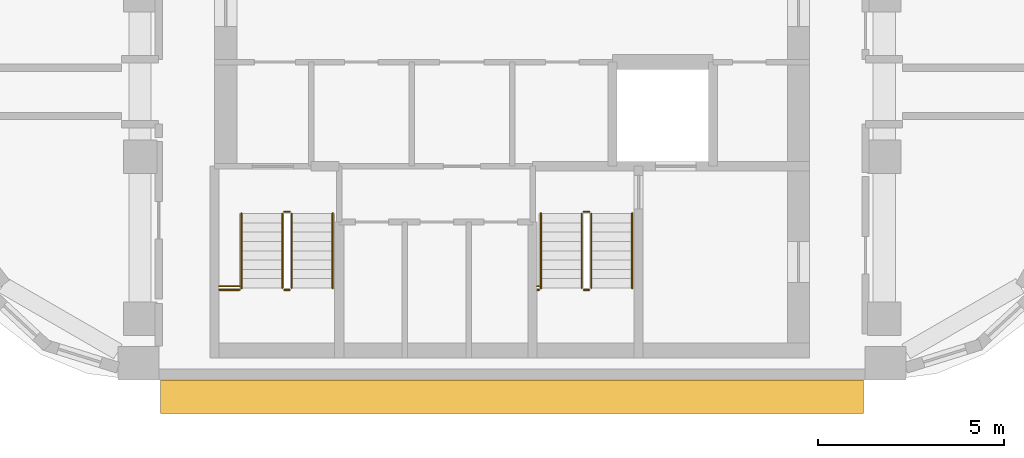
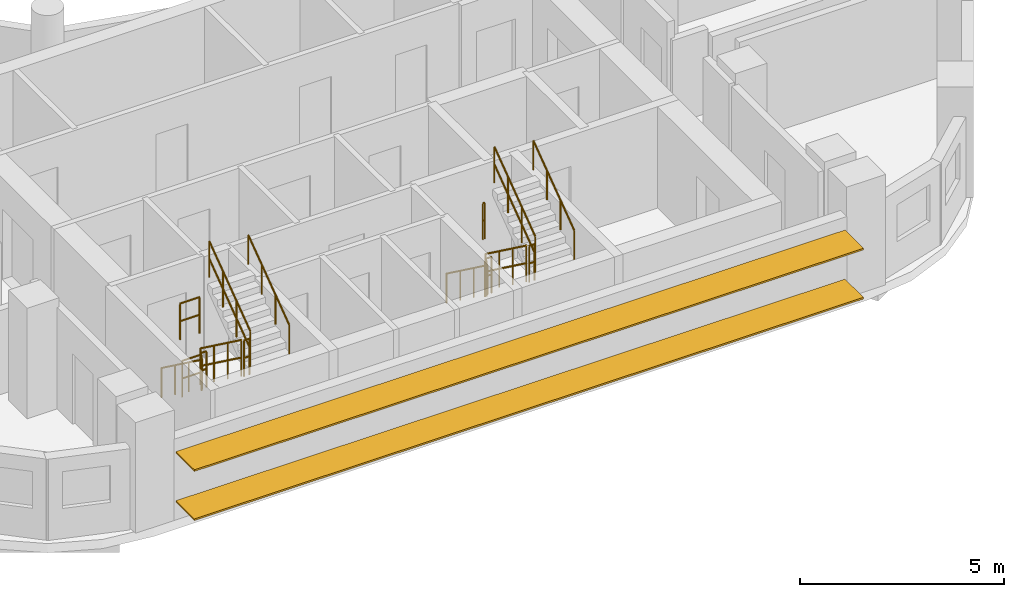
# One storey, part 10 of 12: 16 railings, 2 shading devices.
"""IFC4 building model written with IfcOpenShell, lengths in metres."""

from ifc_helpers import new_model, si_unit, direction, frame, origin, origin_2d, place, context, subcontext, project, spatial, rectangle, circle, extrude, material, material_profile, profile_set, type_object, element, save


model = new_model("IFC4")

# Units and contexts
model_context = context("Model", 3, precision=1e-05, world=origin(), true_north=direction((0.0, 1.0)))
body_context = subcontext(model_context, "Body", "Model", "MODEL_VIEW")
ifc_project = project(units=[si_unit("LENGTHUNIT", "METRE"), si_unit("AREAUNIT", "SQUARE_METRE"), si_unit("VOLUMEUNIT", "CUBIC_METRE"), si_unit("PLANEANGLEUNIT", "RADIAN"), si_unit("MASSUNIT", "GRAM", prefix="KILO")], contexts=[model_context])

# Site, building, storey
site_placement = place(None, origin())
site = spatial("IfcSite", under=ifc_project, at=site_placement, CompositionType="ELEMENT")
building_placement = place(site_placement, origin())
building = spatial("IfcBuilding", under=site, at=building_placement, Name="Nakaniwa Court", CompositionType="ELEMENT")
storey_placement = place(building_placement, frame((0.0, 0.0, 255.89990234375)))
storey = spatial("IfcBuildingStorey", under=building, at=storey_placement, Name="L67", CompositionType="ELEMENT", Elevation=255.89990234375)

# Shading devices
ifc_material_1 = material(Name="Perforated charcoal ceramic louvre blade")
ifc_material_profile = material_profile(ifc_material_1, rectangle(XDim=0.89990234375, YDim=0.050048828125, at=origin_2d()), Name="Perforated ceramic louvre blade")
ifc_profile_set = profile_set([ifc_material_profile], Name="Perforated charcoal ceramic louvre blade")
shading_device_type = type_object("IfcShadingDeviceType", Name="Perforated ceramic louvre blade", PredefinedType="JALOUSIE", material=ifc_profile_set)
for number, where, z_axis, x_axis, name in (
    (1, (70.55078125, 56.89990234375, 0.550048828125), (1.0, 0.0, 0.0), (0.0, 1.0, 0.0), "L67 perforated ceramic louvre blade w26 1"),
    (2, (70.55078125, 56.89990234375, 2.01513671875), (1.0, 0.0, 0.0), (0.0, 1.0, 0.0), "L67 perforated ceramic louvre blade w26 2"),
):
    element("IfcShadingDevice", number, at=place(storey_placement, frame(where, z_axis=z_axis, x_axis=x_axis)), inside=storey, type_object=shading_device_type, Name=name, PredefinedType="JALOUSIE", context=body_context, shape_type="SweptSolid", body=[
        extrude(rectangle(XDim=0.89990234375, YDim=0.050048828125, at=origin_2d()), origin(), (0.0, 0.0, 1.0), 18.892822265625),
    ])

# Railings
ifc_material_2 = material(Name="Black powder coated steel guard", Category="steel")
railing_type_1 = type_object("IfcRailingType", Name="Stair guard 1100", PredefinedType="GUARDRAIL", material=ifc_material_2)
railing_1_placement = place(storey_placement, frame((73.824951171875, 61.824951171875, 0.183349609375)))
element("IfcRailing", 3, at=railing_1_placement, inside=storey, type_object=railing_type_1, Name="L67 ST3 stair guard 1", PredefinedType="GUARDRAIL", context=body_context, shape_type="SweptSolid", body=[
    extrude(circle(Radius=0.02392578125, at=origin_2d()), frame((0.0, 0.0, 1.076171875), z_axis=(0.0, -0.806379959628, 0.591397802423), x_axis=(1.0, 0.0, 0.0)), (0.0, 0.0, 1.0), 2.480224609375),
    extrude(circle(Radius=0.02392578125, at=origin_2d()), frame((0.0, 0.0, 0.550048828125), z_axis=(0.0, -0.806379959628, 0.591397802423), x_axis=(1.0, 0.0, 0.0)), (0.0, 0.0, 1.0), 2.480224609375),
    extrude(circle(Radius=0.02099609375, at=origin_2d()), origin(), (0.0, 0.0, 1.0), 1.052001953125),
    extrude(circle(Radius=0.02099609375, at=origin_2d()), frame((0.0, -0.666748046875, 0.489013671875)), (0.0, 0.0, 1.0), 1.052001953125),
    extrude(circle(Radius=0.02099609375, at=origin_2d()), frame((0.0, -1.333251953125, 0.977783203125)), (0.0, 0.0, 1.0), 1.052001953125),
    extrude(circle(Radius=0.02099609375, at=origin_2d()), frame((0.0, -2.0, 1.466796875)), (0.0, 0.0, 1.0), 1.052001953125),
])
railing_2_placement = place(storey_placement, frame((73.875, 59.77490234375, 1.650146484375)))
element("IfcRailing", 4, at=railing_2_placement, inside=storey, type_object=railing_type_1, Name="L67 ST3 stair guard 2", PredefinedType="GUARDRAIL", context=body_context, shape_type="SweptSolid", body=[
    extrude(circle(Radius=0.02392578125, at=origin_2d()), frame((0.0, 0.0, 1.076171875), z_axis=(1.0, 0.0, 0.0), x_axis=(0.0, 1.0, 0.0)), (0.0, 0.0, 1.0), 0.14990234375),
    extrude(circle(Radius=0.02392578125, at=origin_2d()), frame((0.0, 0.0, 0.550048828125), z_axis=(1.0, 0.0, 0.0), x_axis=(0.0, 1.0, 0.0)), (0.0, 0.0, 1.0), 0.14990234375),
    extrude(circle(Radius=0.02099609375, at=origin_2d()), origin(), (0.0, 0.0, 1.0), 1.052001953125),
    extrude(circle(Radius=0.02099609375, at=origin_2d()), frame((0.14990234375, 0.0, 0.0)), (0.0, 0.0, 1.0), 1.052001953125),
])
railing_3_placement = place(storey_placement, frame((74.074951171875, 59.824951171875, 1.83349609375)))
element("IfcRailing", 5, at=railing_3_placement, inside=storey, type_object=railing_type_1, Name="L67 ST3 stair guard 3", PredefinedType="GUARDRAIL", context=body_context, shape_type="SweptSolid", body=[
    extrude(circle(Radius=0.02392578125, at=origin_2d()), frame((0.0, 0.0, 1.076171875), z_axis=(0.0, 0.806426902644, 0.591333789573), x_axis=(-1.0, 0.0, 0.0)), (0.0, 0.0, 1.0), 2.47998046875),
    extrude(circle(Radius=0.02392578125, at=origin_2d()), frame((0.0, 0.0, 0.550048828125), z_axis=(0.0, 0.806426902644, 0.591333789573), x_axis=(-1.0, 0.0, 0.0)), (0.0, 0.0, 1.0), 2.47998046875),
    extrude(circle(Radius=0.02099609375, at=origin_2d()), origin(), (0.0, 0.0, 1.0), 1.052001953125),
    extrude(circle(Radius=0.02099609375, at=origin_2d()), frame((0.0, 0.666748046875, 0.48876953125)), (0.0, 0.0, 1.0), 1.052001953125),
    extrude(circle(Radius=0.02099609375, at=origin_2d()), frame((0.0, 1.333251953125, 0.977783203125)), (0.0, 0.0, 1.0), 1.052001953125),
    extrude(circle(Radius=0.02099609375, at=origin_2d()), frame((0.0, 2.0, 1.466552734375)), (0.0, 0.0, 1.0), 1.052001953125),
])
railing_4_placement = place(storey_placement, frame((73.875, 61.875, 0.0)))
element("IfcRailing", 6, at=railing_4_placement, inside=storey, type_object=railing_type_1, Name="L67 ST3 stair guard 4", PredefinedType="GUARDRAIL", context=body_context, shape_type="SweptSolid", body=[
    extrude(circle(Radius=0.02392578125, at=origin_2d()), frame((0.0, 0.0, 1.076171875), z_axis=(1.0, 0.0, 0.0), x_axis=(0.0, 1.0, 0.0)), (0.0, 0.0, 1.0), 0.14990234375),
    extrude(circle(Radius=0.02392578125, at=origin_2d()), frame((0.0, 0.0, 0.550048828125), z_axis=(1.0, 0.0, 0.0), x_axis=(0.0, 1.0, 0.0)), (0.0, 0.0, 1.0), 0.14990234375),
    extrude(circle(Radius=0.02099609375, at=origin_2d()), origin(), (0.0, 0.0, 1.0), 1.052001953125),
    extrude(circle(Radius=0.02099609375, at=origin_2d()), frame((0.14990234375, 0.0, 0.0)), (0.0, 0.0, 1.0), 1.052001953125),
])
for number, where, name in (
    (7, (72.125, 59.77490234375, 1.650146484375), "L67 ST3 landing side guard 1W"),
    (8, (72.125, 59.875, 3.300048828125), "L67 ST3 floor edge guard 1W"),
):
    element("IfcRailing", number, at=place(storey_placement, frame(where)), inside=storey, type_object=railing_type_1, Name=name, PredefinedType="GUARDRAIL", context=body_context, shape_type="SweptSolid", body=[
        extrude(circle(Radius=0.02392578125, at=origin_2d()), frame((0.0, 0.0, 1.076171875), z_axis=(1.0, 0.0, 0.0), x_axis=(0.0, 1.0, 0.0)), (0.0, 0.0, 1.0), 0.550048828125),
        extrude(circle(Radius=0.02392578125, at=origin_2d()), frame((0.0, 0.0, 0.550048828125), z_axis=(1.0, 0.0, 0.0), x_axis=(0.0, 1.0, 0.0)), (0.0, 0.0, 1.0), 0.550048828125),
        extrude(circle(Radius=0.02099609375, at=origin_2d()), origin(), (0.0, 0.0, 1.0), 1.052001953125),
        extrude(circle(Radius=0.02099609375, at=origin_2d()), frame((0.550048828125, 0.0, 0.0)), (0.0, 0.0, 1.0), 1.052001953125),
    ])
railing_5_placement = place(storey_placement, frame((81.875, 61.824951171875, 0.183349609375)))
element("IfcRailing", 9, at=railing_5_placement, inside=storey, type_object=railing_type_1, Name="L67 ST4 stair guard 1", PredefinedType="GUARDRAIL", context=body_context, shape_type="SweptSolid", body=[
    extrude(circle(Radius=0.02392578125, at=origin_2d()), frame((0.0, 0.0, 1.076171875), z_axis=(0.0, -0.806379959628, 0.591397802423), x_axis=(1.0, 0.0, 0.0)), (0.0, 0.0, 1.0), 2.480224609375),
    extrude(circle(Radius=0.02392578125, at=origin_2d()), frame((0.0, 0.0, 0.550048828125), z_axis=(0.0, -0.806379959628, 0.591397802423), x_axis=(1.0, 0.0, 0.0)), (0.0, 0.0, 1.0), 2.480224609375),
    extrude(circle(Radius=0.02099609375, at=origin_2d()), origin(), (0.0, 0.0, 1.0), 1.052001953125),
    extrude(circle(Radius=0.02099609375, at=origin_2d()), frame((0.0, -0.666748046875, 0.489013671875)), (0.0, 0.0, 1.0), 1.052001953125),
    extrude(circle(Radius=0.02099609375, at=origin_2d()), frame((0.0, -1.333251953125, 0.977783203125)), (0.0, 0.0, 1.0), 1.052001953125),
    extrude(circle(Radius=0.02099609375, at=origin_2d()), frame((0.0, -2.0, 1.466796875)), (0.0, 0.0, 1.0), 1.052001953125),
])
railing_6_placement = place(storey_placement, frame((81.925048828125, 59.77490234375, 1.650146484375)))
element("IfcRailing", 10, at=railing_6_placement, inside=storey, type_object=railing_type_1, Name="L67 ST4 stair guard 2", PredefinedType="GUARDRAIL", context=body_context, shape_type="SweptSolid", body=[
    extrude(circle(Radius=0.02392578125, at=origin_2d()), frame((0.0, 0.0, 1.076171875), z_axis=(1.0, 0.0, 0.0), x_axis=(0.0, 1.0, 0.0)), (0.0, 0.0, 1.0), 0.14990234375),
    extrude(circle(Radius=0.02392578125, at=origin_2d()), frame((0.0, 0.0, 0.550048828125), z_axis=(1.0, 0.0, 0.0), x_axis=(0.0, 1.0, 0.0)), (0.0, 0.0, 1.0), 0.14990234375),
    extrude(circle(Radius=0.02099609375, at=origin_2d()), origin(), (0.0, 0.0, 1.0), 1.052001953125),
    extrude(circle(Radius=0.02099609375, at=origin_2d()), frame((0.14990234375, 0.0, 0.0)), (0.0, 0.0, 1.0), 1.052001953125),
])
railing_7_placement = place(storey_placement, frame((82.125, 59.824951171875, 1.83349609375)))
element("IfcRailing", 11, at=railing_7_placement, inside=storey, type_object=railing_type_1, Name="L67 ST4 stair guard 3", PredefinedType="GUARDRAIL", context=body_context, shape_type="SweptSolid", body=[
    extrude(circle(Radius=0.02392578125, at=origin_2d()), frame((0.0, 0.0, 1.076171875), z_axis=(0.0, 0.806426902644, 0.591333789573), x_axis=(-1.0, 0.0, 0.0)), (0.0, 0.0, 1.0), 2.47998046875),
    extrude(circle(Radius=0.02392578125, at=origin_2d()), frame((0.0, 0.0, 0.550048828125), z_axis=(0.0, 0.806426902644, 0.591333789573), x_axis=(-1.0, 0.0, 0.0)), (0.0, 0.0, 1.0), 2.47998046875),
    extrude(circle(Radius=0.02099609375, at=origin_2d()), origin(), (0.0, 0.0, 1.0), 1.052001953125),
    extrude(circle(Radius=0.02099609375, at=origin_2d()), frame((0.0, 0.666748046875, 0.48876953125)), (0.0, 0.0, 1.0), 1.052001953125),
    extrude(circle(Radius=0.02099609375, at=origin_2d()), frame((0.0, 1.333251953125, 0.977783203125)), (0.0, 0.0, 1.0), 1.052001953125),
    extrude(circle(Radius=0.02099609375, at=origin_2d()), frame((0.0, 2.0, 1.466552734375)), (0.0, 0.0, 1.0), 1.052001953125),
])
railing_8_placement = place(storey_placement, frame((81.925048828125, 61.875, 0.0)))
element("IfcRailing", 12, at=railing_8_placement, inside=storey, type_object=railing_type_1, Name="L67 ST4 stair guard 4", PredefinedType="GUARDRAIL", context=body_context, shape_type="SweptSolid", body=[
    extrude(circle(Radius=0.02392578125, at=origin_2d()), frame((0.0, 0.0, 1.076171875), z_axis=(1.0, 0.0, 0.0), x_axis=(0.0, 1.0, 0.0)), (0.0, 0.0, 1.0), 0.14990234375),
    extrude(circle(Radius=0.02392578125, at=origin_2d()), frame((0.0, 0.0, 0.550048828125), z_axis=(1.0, 0.0, 0.0), x_axis=(0.0, 1.0, 0.0)), (0.0, 0.0, 1.0), 0.14990234375),
    extrude(circle(Radius=0.02099609375, at=origin_2d()), origin(), (0.0, 0.0, 1.0), 1.052001953125),
    extrude(circle(Radius=0.02099609375, at=origin_2d()), frame((0.14990234375, 0.0, 0.0)), (0.0, 0.0, 1.0), 1.052001953125),
])
for number, where, name in (
    (13, (80.675048828125, 59.77490234375, 1.650146484375), "L67 ST4 landing side guard 1W"),
    (14, (80.675048828125, 59.875, 3.300048828125), "L67 ST4 floor edge guard 1W"),
):
    element("IfcRailing", number, at=place(storey_placement, frame(where)), inside=storey, type_object=railing_type_1, Name=name, PredefinedType="GUARDRAIL", context=body_context, shape_type="SweptSolid", body=[
        extrude(circle(Radius=0.02392578125, at=origin_2d()), frame((0.0, 0.0, 1.076171875), z_axis=(1.0, 0.0, 0.0), x_axis=(0.0, 1.0, 0.0)), (0.0, 0.0, 1.0), 0.050048828125),
        extrude(circle(Radius=0.02392578125, at=origin_2d()), frame((0.0, 0.0, 0.550048828125), z_axis=(1.0, 0.0, 0.0), x_axis=(0.0, 1.0, 0.0)), (0.0, 0.0, 1.0), 0.050048828125),
        extrude(circle(Radius=0.02099609375, at=origin_2d()), origin(), (0.0, 0.0, 1.0), 1.052001953125),
        extrude(circle(Radius=0.02099609375, at=origin_2d()), frame((0.050048828125, 0.0, 0.0)), (0.0, 0.0, 1.0), 1.052001953125),
    ])
ifc_material_3 = material(Name="Black powder coated steel handrail", Category="steel")
railing_type_2 = type_object("IfcRailingType", Name="Stair handrail 900", PredefinedType="HANDRAIL", material=ifc_material_3)
railing_9_placement = place(storey_placement, frame((72.72509765625, 61.824951171875, 0.183349609375)))
element("IfcRailing", 15, at=railing_9_placement, inside=storey, type_object=railing_type_2, Name="L67 ST3 stair handrail 1", PredefinedType="HANDRAIL", context=body_context, shape_type="SweptSolid", body=[
    extrude(circle(Radius=0.02392578125, at=origin_2d()), frame((0.0, 0.0, 0.8759765625), z_axis=(0.0, -0.806379959628, 0.591397802423), x_axis=(1.0, 0.0, 0.0)), (0.0, 0.0, 1.0), 2.480224609375),
    extrude(circle(Radius=0.02099609375, at=origin_2d()), origin(), (0.0, 0.0, 1.0), 0.851806640625),
    extrude(circle(Radius=0.02099609375, at=origin_2d()), frame((0.0, -0.666748046875, 0.489013671875)), (0.0, 0.0, 1.0), 0.851806640625),
    extrude(circle(Radius=0.02099609375, at=origin_2d()), frame((0.0, -1.333251953125, 0.977783203125)), (0.0, 0.0, 1.0), 0.851806640625),
    extrude(circle(Radius=0.02099609375, at=origin_2d()), frame((0.0, -2.0, 1.466796875)), (0.0, 0.0, 1.0), 0.851806640625),
])
railing_10_placement = place(storey_placement, frame((75.175048828125, 59.824951171875, 1.83349609375)))
element("IfcRailing", 16, at=railing_10_placement, inside=storey, type_object=railing_type_2, Name="L67 ST3 stair handrail 2", PredefinedType="HANDRAIL", context=body_context, shape_type="SweptSolid", body=[
    extrude(circle(Radius=0.02392578125, at=origin_2d()), frame((0.0, 0.0, 0.8759765625), z_axis=(0.0, 0.806426902644, 0.591333789573), x_axis=(-1.0, 0.0, 0.0)), (0.0, 0.0, 1.0), 2.47998046875),
    extrude(circle(Radius=0.02099609375, at=origin_2d()), origin(), (0.0, 0.0, 1.0), 0.851806640625),
    extrude(circle(Radius=0.02099609375, at=origin_2d()), frame((0.0, 0.666748046875, 0.48876953125)), (0.0, 0.0, 1.0), 0.851806640625),
    extrude(circle(Radius=0.02099609375, at=origin_2d()), frame((0.0, 1.333251953125, 0.977783203125)), (0.0, 0.0, 1.0), 0.851806640625),
    extrude(circle(Radius=0.02099609375, at=origin_2d()), frame((0.0, 2.0, 1.466552734375)), (0.0, 0.0, 1.0), 0.851806640625),
])
railing_11_placement = place(storey_placement, frame((80.77490234375, 61.824951171875, 0.183349609375)))
element("IfcRailing", 17, at=railing_11_placement, inside=storey, type_object=railing_type_2, Name="L67 ST4 stair handrail 1", PredefinedType="HANDRAIL", context=body_context, shape_type="SweptSolid", body=[
    extrude(circle(Radius=0.02392578125, at=origin_2d()), frame((0.0, 0.0, 0.8759765625), z_axis=(0.0, -0.806379959628, 0.591397802423), x_axis=(1.0, 0.0, 0.0)), (0.0, 0.0, 1.0), 2.480224609375),
    extrude(circle(Radius=0.02099609375, at=origin_2d()), origin(), (0.0, 0.0, 1.0), 0.851806640625),
    extrude(circle(Radius=0.02099609375, at=origin_2d()), frame((0.0, -0.666748046875, 0.489013671875)), (0.0, 0.0, 1.0), 0.851806640625),
    extrude(circle(Radius=0.02099609375, at=origin_2d()), frame((0.0, -1.333251953125, 0.977783203125)), (0.0, 0.0, 1.0), 0.851806640625),
    extrude(circle(Radius=0.02099609375, at=origin_2d()), frame((0.0, -2.0, 1.466796875)), (0.0, 0.0, 1.0), 0.851806640625),
])
railing_12_placement = place(storey_placement, frame((83.22509765625, 59.824951171875, 1.83349609375)))
element("IfcRailing", 18, at=railing_12_placement, inside=storey, type_object=railing_type_2, Name="L67 ST4 stair handrail 2", PredefinedType="HANDRAIL", context=body_context, shape_type="SweptSolid", body=[
    extrude(circle(Radius=0.02392578125, at=origin_2d()), frame((0.0, 0.0, 0.8759765625), z_axis=(0.0, 0.806426902644, 0.591333789573), x_axis=(-1.0, 0.0, 0.0)), (0.0, 0.0, 1.0), 2.47998046875),
    extrude(circle(Radius=0.02099609375, at=origin_2d()), origin(), (0.0, 0.0, 1.0), 0.851806640625),
    extrude(circle(Radius=0.02099609375, at=origin_2d()), frame((0.0, 0.666748046875, 0.48876953125)), (0.0, 0.0, 1.0), 0.851806640625),
    extrude(circle(Radius=0.02099609375, at=origin_2d()), frame((0.0, 1.333251953125, 0.977783203125)), (0.0, 0.0, 1.0), 0.851806640625),
    extrude(circle(Radius=0.02099609375, at=origin_2d()), frame((0.0, 2.0, 1.466552734375)), (0.0, 0.0, 1.0), 0.851806640625),
])

save(model, "model.ifc")
